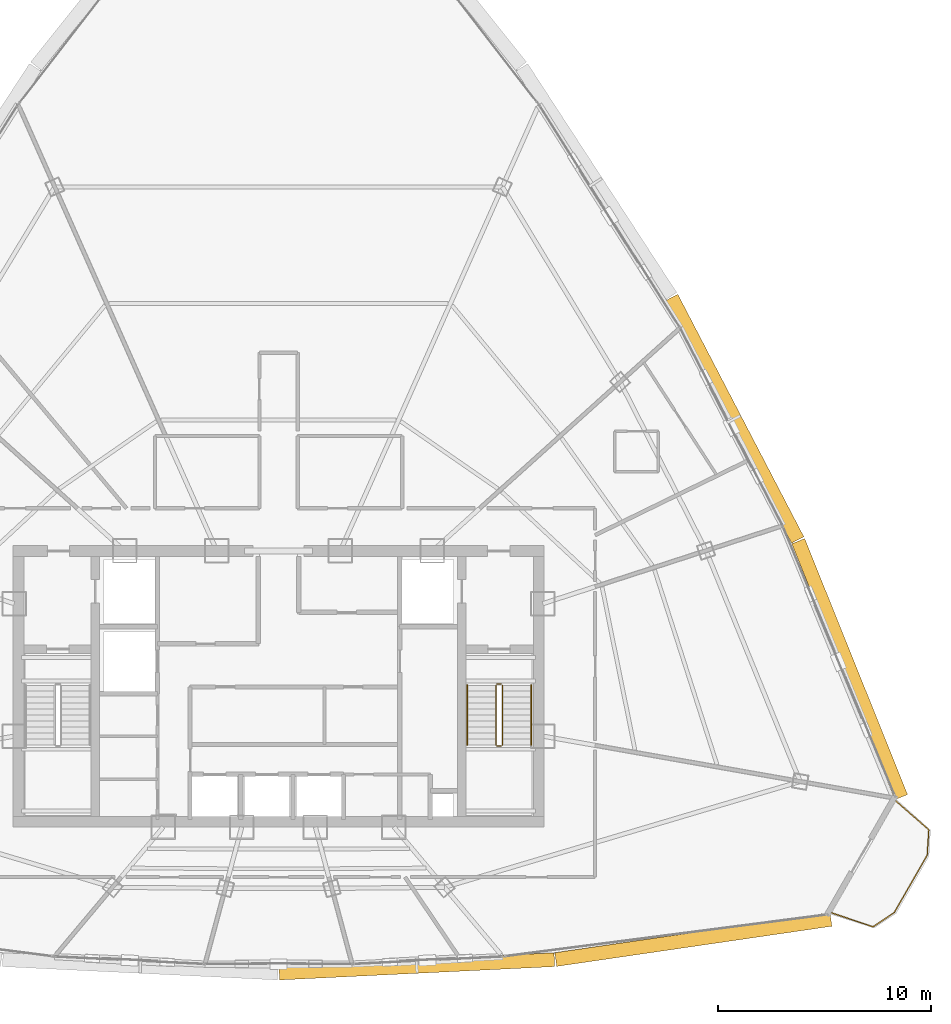
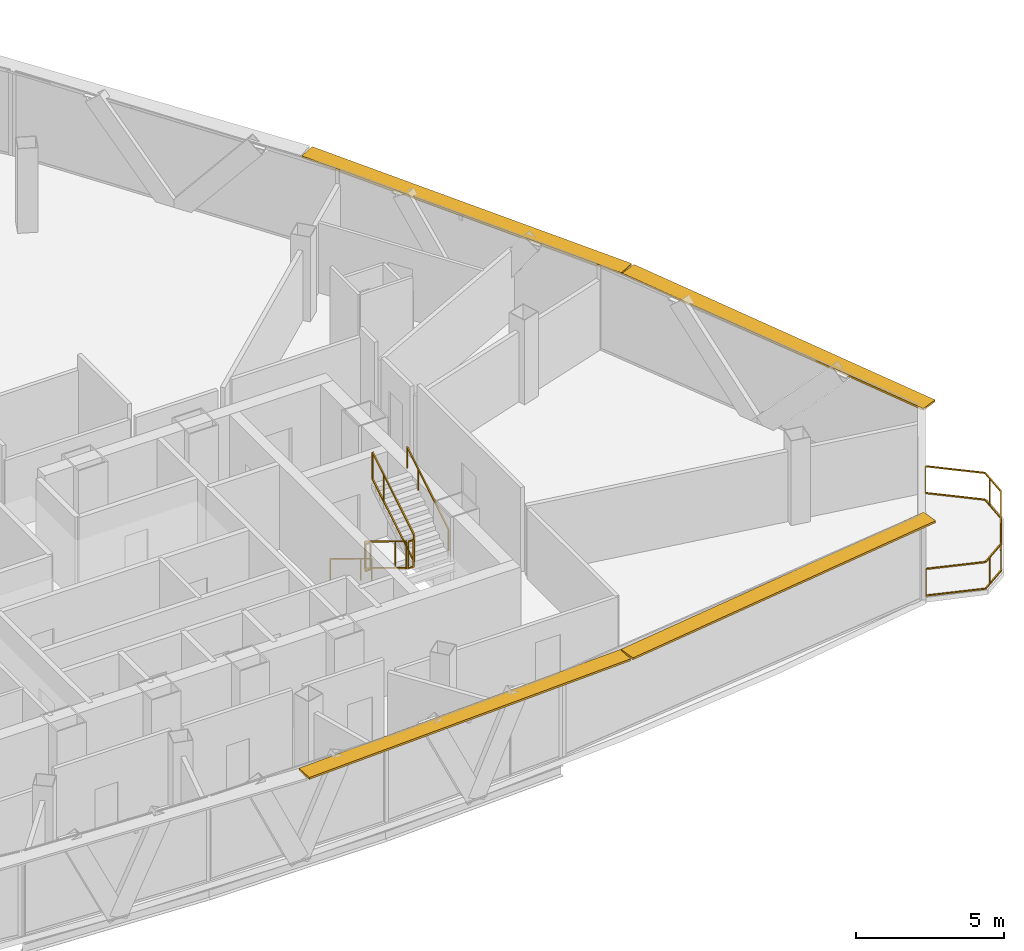
# One storey, part 32 of 33: 7 railings, 4 shading devices.
"""IFC4 building model written with IfcOpenShell, lengths in metres."""

from ifc_helpers import new_model, si_unit, direction, frame, origin, origin_2d, place, context, subcontext, project, spatial, rectangle, extrude, source, transform, mapped, material, layer, layer_set, type_object, element, save


model = new_model("IFC4")

# Units and contexts
model_context = context("Model", 3, precision=1e-05, world=origin(), true_north=direction((0.0, 1.0)))
body_context = subcontext(model_context, "Body", "Model", "MODEL_VIEW")
ifc_project = project(units=[si_unit("LENGTHUNIT", "METRE"), si_unit("AREAUNIT", "SQUARE_METRE"), si_unit("VOLUMEUNIT", "CUBIC_METRE"), si_unit("PLANEANGLEUNIT", "RADIAN"), si_unit("MASSUNIT", "GRAM", prefix="KILO"), si_unit("THERMODYNAMICTEMPERATUREUNIT", "KELVIN"), si_unit("POWERUNIT", "WATT")], contexts=[model_context])

# Site, building, storey
site_placement = place(None, origin())
site = spatial("IfcSite", under=ifc_project, at=site_placement, CompositionType="ELEMENT")
building_placement = place(site_placement, origin())
building = spatial("IfcBuilding", under=site, at=building_placement, Name="Yunzhuo Pagoda Commons", CompositionType="ELEMENT")
storey_placement = place(building_placement, frame((0.0, 0.0, 329.260009765625)))
storey = spatial("IfcBuildingStorey", under=building, at=storey_placement, Name="L82", CompositionType="ELEMENT", Elevation=329.260009765625)

# Railings
ifc_material = material(Name="Anodized aluminium 6063-T6", Category="aluminium")
railing_type_1 = type_object("IfcRailingType", Name="GR-ST2 Stair Well Guardrail 1160", PredefinedType="GUARDRAIL", material=ifc_material)
railing_1_placement = place(storey_placement, frame((58.199951171875, 33.89990234375, 0.17041015625)))
element("IfcRailing", 1, at=railing_1_placement, inside=storey, type_object=railing_type_1, Name="L82 ST2 stair guard 1", PredefinedType="GUARDRAIL", context=body_context, shape_type="SweptSolid", body=[
    extrude(rectangle(XDim=0.048095703125, YDim=0.048095703125, at=origin_2d()), frame((0.0, 0.0, 1.1259765625), z_axis=(0.0, -0.854149651119, 0.520027281489), x_axis=(1.0, 0.0, 0.0)), (0.0, 0.0, 1.0), 3.27783203125),
    extrude(rectangle(XDim=0.048095703125, YDim=0.048095703125, at=origin_2d()), frame((0.0, 0.0, 0.02392578125), z_axis=(0.0, -0.854149651119, 0.520027281489), x_axis=(1.0, 0.0, 0.0)), (0.0, 0.0, 1.0), 3.27783203125),
    extrude(rectangle(XDim=0.0419921875, YDim=0.0419921875, at=origin_2d()), origin(), (0.0, 0.0, 1.0), 1.101806640625),
    extrude(rectangle(XDim=0.0419921875, YDim=0.0419921875, at=origin_2d()), frame((0.0, -2.050048828125, 1.248046875)), (0.0, 0.0, 1.0), 1.101806640625),
    extrude(rectangle(XDim=0.0419921875, YDim=0.0419921875, at=origin_2d()), frame((0.0, -2.7998046875, 1.70458984375)), (0.0, 0.0, 1.0), 1.101806640625),
])
railing_2_placement = place(storey_placement, frame((58.25, 31.050048828125, 1.875)))
element("IfcRailing", 2, at=railing_2_placement, inside=storey, type_object=railing_type_1, Name="L82 ST2 stair guard 2", PredefinedType="GUARDRAIL", context=body_context, shape_type="SweptSolid", body=[
    extrude(rectangle(XDim=0.048095703125, YDim=0.048095703125, at=origin_2d()), frame((0.0, 0.0, 1.1259765625), z_axis=(1.0, 0.0, 0.0), x_axis=(0.0, 1.0, 0.0)), (0.0, 0.0, 1.0), 0.199951171875),
    extrude(rectangle(XDim=0.048095703125, YDim=0.048095703125, at=origin_2d()), frame((0.0, 0.0, 0.02392578125), z_axis=(1.0, 0.0, 0.0), x_axis=(0.0, 1.0, 0.0)), (0.0, 0.0, 1.0), 0.199951171875),
    extrude(rectangle(XDim=0.0419921875, YDim=0.0419921875, at=origin_2d()), origin(), (0.0, 0.0, 1.0), 1.101806640625),
    extrude(rectangle(XDim=0.0419921875, YDim=0.0419921875, at=origin_2d()), frame((0.199951171875, 0.0, 0.0)), (0.0, 0.0, 1.0), 1.101806640625),
])
railing_3_placement = place(storey_placement, frame((58.5, 31.10009765625, 2.04541015625)))
element("IfcRailing", 3, at=railing_3_placement, inside=storey, type_object=railing_type_1, Name="L82 ST2 stair guard 3", PredefinedType="GUARDRAIL", context=body_context, shape_type="SweptSolid", body=[
    extrude(rectangle(XDim=0.048095703125, YDim=0.048095703125, at=origin_2d()), frame((0.0, 0.0, 1.1259765625), z_axis=(0.0, 0.854149651119, 0.520027281489), x_axis=(-1.0, 0.0, 0.0)), (0.0, 0.0, 1.0), 3.27783203125),
    extrude(rectangle(XDim=0.048095703125, YDim=0.048095703125, at=origin_2d()), frame((0.0, 0.0, 0.02392578125), z_axis=(0.0, 0.854149651119, 0.520027281489), x_axis=(-1.0, 0.0, 0.0)), (0.0, 0.0, 1.0), 3.27783203125),
    extrude(rectangle(XDim=0.0419921875, YDim=0.0419921875, at=origin_2d()), origin(), (0.0, 0.0, 1.0), 1.101806640625),
    extrude(rectangle(XDim=0.0419921875, YDim=0.0419921875, at=origin_2d()), frame((0.0, 2.050048828125, 1.248046875)), (0.0, 0.0, 1.0), 1.101806640625),
    extrude(rectangle(XDim=0.0419921875, YDim=0.0419921875, at=origin_2d()), frame((0.0, 2.7998046875, 1.70458984375)), (0.0, 0.0, 1.0), 1.101806640625),
])
railing_4_placement = place(storey_placement, frame((58.25, 33.949951171875, 0.0)))
element("IfcRailing", 4, at=railing_4_placement, inside=storey, type_object=railing_type_1, Name="L82 ST2 stair guard 4", PredefinedType="GUARDRAIL", context=body_context, shape_type="SweptSolid", body=[
    extrude(rectangle(XDim=0.048095703125, YDim=0.048095703125, at=origin_2d()), frame((0.0, 0.0, 1.1259765625), z_axis=(1.0, 0.0, 0.0), x_axis=(0.0, 1.0, 0.0)), (0.0, 0.0, 1.0), 0.199951171875),
    extrude(rectangle(XDim=0.048095703125, YDim=0.048095703125, at=origin_2d()), frame((0.0, 0.0, 0.02392578125), z_axis=(1.0, 0.0, 0.0), x_axis=(0.0, 1.0, 0.0)), (0.0, 0.0, 1.0), 0.199951171875),
    extrude(rectangle(XDim=0.0419921875, YDim=0.0419921875, at=origin_2d()), origin(), (0.0, 0.0, 1.0), 1.101806640625),
    extrude(rectangle(XDim=0.0419921875, YDim=0.0419921875, at=origin_2d()), frame((0.199951171875, 0.0, 0.0)), (0.0, 0.0, 1.0), 1.101806640625),
])
railing_type_2 = type_object("IfcRailingType", Name="HR-ST2 Stair Handrail 900", PredefinedType="HANDRAIL", material=ifc_material)
railing_5_placement = place(storey_placement, frame((56.85009765625, 33.89990234375, 0.17041015625)))
element("IfcRailing", 5, at=railing_5_placement, inside=storey, type_object=railing_type_2, Name="L82 ST2 stair handrail 1", PredefinedType="HANDRAIL", context=body_context, shape_type="SweptSolid", body=[
    extrude(rectangle(XDim=0.048095703125, YDim=0.048095703125, at=origin_2d()), frame((0.0, 0.0, 0.8759765625), z_axis=(0.0, -0.854149651119, 0.520027281489), x_axis=(1.0, 0.0, 0.0)), (0.0, 0.0, 1.0), 3.27783203125),
    extrude(rectangle(XDim=0.0419921875, YDim=0.0419921875, at=origin_2d()), origin(), (0.0, 0.0, 1.0), 0.851806640625),
    extrude(rectangle(XDim=0.0419921875, YDim=0.0419921875, at=origin_2d()), frame((0.0, -2.050048828125, 1.248046875)), (0.0, 0.0, 1.0), 0.851806640625),
    extrude(rectangle(XDim=0.0419921875, YDim=0.0419921875, at=origin_2d()), frame((0.0, -2.7998046875, 1.70458984375)), (0.0, 0.0, 1.0), 0.851806640625),
])
railing_6_placement = place(storey_placement, frame((59.85009765625, 31.10009765625, 2.04541015625)))
element("IfcRailing", 6, at=railing_6_placement, inside=storey, type_object=railing_type_2, Name="L82 ST2 stair handrail 2", PredefinedType="HANDRAIL", context=body_context, shape_type="SweptSolid", body=[
    extrude(rectangle(XDim=0.048095703125, YDim=0.048095703125, at=origin_2d()), frame((0.0, 0.0, 0.8759765625), z_axis=(0.0, 0.854149651119, 0.520027281489), x_axis=(-1.0, 0.0, 0.0)), (0.0, 0.0, 1.0), 3.27783203125),
    extrude(rectangle(XDim=0.0419921875, YDim=0.0419921875, at=origin_2d()), origin(), (0.0, 0.0, 1.0), 0.851806640625),
    extrude(rectangle(XDim=0.0419921875, YDim=0.0419921875, at=origin_2d()), frame((0.0, 2.050048828125, 1.248046875)), (0.0, 0.0, 1.0), 0.851806640625),
    extrude(rectangle(XDim=0.0419921875, YDim=0.0419921875, at=origin_2d()), frame((0.0, 2.7998046875, 1.70458984375)), (0.0, 0.0, 1.0), 0.851806640625),
])
railing_type_3 = type_object("IfcRailingType", Name="RL-BAL1 Exterior Terrace & Balcony Balustrade 1150", PredefinedType="BALUSTRADE", material=ifc_material)
railing_7_placement = place(storey_placement, frame((73.939697265625, 23.225830078125, 0.0)))
element("IfcRailing", 7, at=railing_7_placement, inside=storey, type_object=railing_type_3, Name="L82 corner balcony balustrade V2", PredefinedType="BALUSTRADE", context=body_context, shape_type="SweptSolid", body=[
    extrude(rectangle(XDim=0.048095703125, YDim=0.048095703125, at=origin_2d()), frame((0.0, 0.0, 1.1259765625), z_axis=(0.947419062147, -0.319995501031, 0.0), x_axis=(0.319995501031, 0.947419062147, 0.0)), (0.0, 0.0, 1.0), 2.05908203125),
    extrude(rectangle(XDim=0.048095703125, YDim=0.048095703125, at=origin_2d()), frame((0.0, 0.0, 0.02392578125), z_axis=(0.947419062147, -0.319995501031, 0.0), x_axis=(0.319995501031, 0.947419062147, 0.0)), (0.0, 0.0, 1.0), 2.05908203125),
    extrude(rectangle(XDim=0.048095703125, YDim=0.048095703125, at=origin_2d()), frame((1.950927734375, -0.658935546875, 1.1259765625), z_axis=(0.830446287952, 0.557098701154, 0.0), x_axis=(-0.557098701154, 0.830446287952, 0.0)), (0.0, 0.0, 1.0), 1.19677734375),
    extrude(rectangle(XDim=0.048095703125, YDim=0.048095703125, at=origin_2d()), frame((1.950927734375, -0.658935546875, 0.02392578125), z_axis=(0.830446287952, 0.557098701154, 0.0), x_axis=(-0.557098701154, 0.830446287952, 0.0)), (0.0, 0.0, 1.0), 1.19677734375),
    extrude(rectangle(XDim=0.048095703125, YDim=0.048095703125, at=origin_2d()), frame((2.94482421875, 0.0078125, 1.1259765625), z_axis=(0.497966035481, 0.867196533381, 0.0), x_axis=(-0.867196533381, 0.497966035481, 0.0)), (0.0, 0.0, 1.0), 3.1064453125),
    extrude(rectangle(XDim=0.048095703125, YDim=0.048095703125, at=origin_2d()), frame((2.94482421875, 0.0078125, 0.02392578125), z_axis=(0.497966035481, 0.867196533381, 0.0), x_axis=(-0.867196533381, 0.497966035481, 0.0)), (0.0, 0.0, 1.0), 3.1064453125),
    extrude(rectangle(XDim=0.048095703125, YDim=0.048095703125, at=origin_2d()), frame((4.49169921875, 2.70166015625, 1.1259765625), z_axis=(0.062416382628, 0.998050196723, 0.0), x_axis=(-0.998050196723, 0.062416382628, 0.0)), (0.0, 0.0, 1.0), 1.197021484375),
    extrude(rectangle(XDim=0.048095703125, YDim=0.048095703125, at=origin_2d()), frame((4.49169921875, 2.70166015625, 0.02392578125), z_axis=(0.062416382628, 0.998050196723, 0.0), x_axis=(-0.998050196723, 0.062416382628, 0.0)), (0.0, 0.0, 1.0), 1.197021484375),
    extrude(rectangle(XDim=0.048095703125, YDim=0.048095703125, at=origin_2d()), frame((4.56640625, 3.896240234375, 1.1259765625), z_axis=(-0.753933830692, 0.656950362614, 0.0), x_axis=(-0.656950362614, -0.753933830692, 0.0)), (0.0, 0.0, 1.0), 2.05908203125),
    extrude(rectangle(XDim=0.048095703125, YDim=0.048095703125, at=origin_2d()), frame((4.56640625, 3.896240234375, 0.02392578125), z_axis=(-0.753933830692, 0.656950362614, 0.0), x_axis=(-0.656950362614, -0.753933830692, 0.0)), (0.0, 0.0, 1.0), 2.05908203125),
    extrude(rectangle(XDim=0.0419921875, YDim=0.0419921875, at=origin_2d()), origin(), (0.0, 0.0, 1.0), 1.101806640625),
    extrude(rectangle(XDim=0.0419921875, YDim=0.0419921875, at=origin_2d()), frame((2.23388671875, -0.468994140625, 0.0)), (0.0, 0.0, 1.0), 1.101806640625),
    extrude(rectangle(XDim=0.0419921875, YDim=0.0419921875, at=origin_2d()), frame((3.713623046875, 1.3466796875, 0.0)), (0.0, 0.0, 1.0), 1.101806640625),
    extrude(rectangle(XDim=0.0419921875, YDim=0.0419921875, at=origin_2d()), frame((4.5439453125, 3.53759765625, 0.0)), (0.0, 0.0, 1.0), 1.101806640625),
    extrude(rectangle(XDim=0.0419921875, YDim=0.0419921875, at=origin_2d()), frame((3.013916015625, 5.2490234375, 0.0)), (0.0, 0.0, 1.0), 1.101806640625),
])

# Shading devices
ifc_layer = layer(ifc_material, 0.080078125)
ifc_layer_set = layer_set([ifc_layer], Name="Anodized aluminium 6063-T6")
shading_device_type = type_object("IfcShadingDeviceType", Name="SH-SUN1 Pagoda Horizontal Sunshade Eave 650", PredefinedType="USERDEFINED", material=ifc_layer_set)
shared_shape_1 = source(origin(), body_context, "Body", "SweptSolid", [
    extrude(rectangle(XDim=13.047119140625, YDim=0.64990234375, at=origin_2d()), origin(), (0.0, 0.0, 1.0), 0.080078125),
])
shading_device_1_placement = place(storey_placement, frame((67.45947265625, 21.9736328125, 3.409912109375), z_axis=(0.0, 0.0, 1.0), x_axis=(0.989510666697, 0.144459823108, 0.0)))
element("IfcShadingDevice", 8, at=shading_device_1_placement, inside=storey, type_object=shading_device_type, Name="L82 horizontal pagoda sunshade eave F1.4", ObjectType="SUNSHADE", PredefinedType="USERDEFINED", context=body_context, shape_type="MappedRepresentation", body=[
    mapped(shared_shape_1, transform((0.0, 0.0, 0.0), scale=1.0)),
])
shared_shape_2 = source(origin(), body_context, "Body", "SweptSolid", [
    extrude(rectangle(XDim=12.92529296875, YDim=0.64990234375, at=origin_2d()), origin(), (0.0, 0.0, 1.0), 0.080078125),
])
shading_device_2_placement = place(storey_placement, frame((54.486572265625, 20.711181640625, 3.409912109375), z_axis=(0.0, 0.0, 1.0), x_axis=(0.998818043775, 0.04860571396, 0.0)))
element("IfcShadingDevice", 9, at=shading_device_2_placement, inside=storey, type_object=shading_device_type, Name="L82 horizontal pagoda sunshade eave F1.3", ObjectType="SUNSHADE", PredefinedType="USERDEFINED", context=body_context, shape_type="MappedRepresentation", body=[
    mapped(shared_shape_2, transform((0.0, 0.0, 0.0), scale=1.0)),
])
shared_shape_3 = source(origin(), body_context, "Body", "SweptSolid", [
    extrude(rectangle(XDim=12.942138671875, YDim=0.64990234375, at=origin_2d()), origin(), (0.0, 0.0, 1.0), 0.080078125),
])
shading_device_3_placement = place(storey_placement, frame((74.794921875, 34.656494140625, 3.409912109375), z_axis=(0.0, 0.0, 1.0), x_axis=(-0.372987782576, 0.927836253899, 0.0)))
element("IfcShadingDevice", 10, at=shading_device_3_placement, inside=storey, type_object=shading_device_type, Name="L82 horizontal pagoda sunshade eave F2.1", ObjectType="SUNSHADE", PredefinedType="USERDEFINED", context=body_context, shape_type="MappedRepresentation", body=[
    mapped(shared_shape_3, transform((0.0, 0.0, 0.0), scale=1.0)),
])
shared_shape_4 = source(origin(), body_context, "Body", "SweptSolid", [
    extrude(rectangle(XDim=12.8193359375, YDim=0.64990234375, at=origin_2d()), origin(), (0.0, 0.0, 1.0), 0.080078125),
])
shading_device_4_placement = place(storey_placement, frame((69.398681640625, 46.4052734375, 3.409912109375), z_axis=(0.0, 0.0, 1.0), x_axis=(-0.461206683033, 0.88729273384, 0.0)))
element("IfcShadingDevice", 11, at=shading_device_4_placement, inside=storey, type_object=shading_device_type, Name="L82 horizontal pagoda sunshade eave F2.2", ObjectType="SUNSHADE", PredefinedType="USERDEFINED", context=body_context, shape_type="MappedRepresentation", body=[
    mapped(shared_shape_4, transform((0.0, 0.0, 0.0), scale=1.0)),
])

save(model, "model.ifc")
